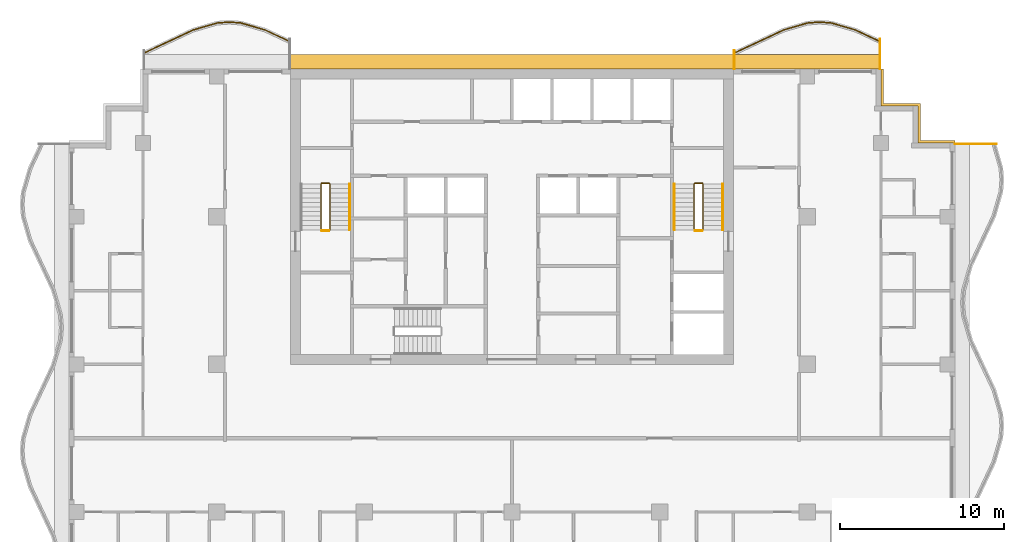
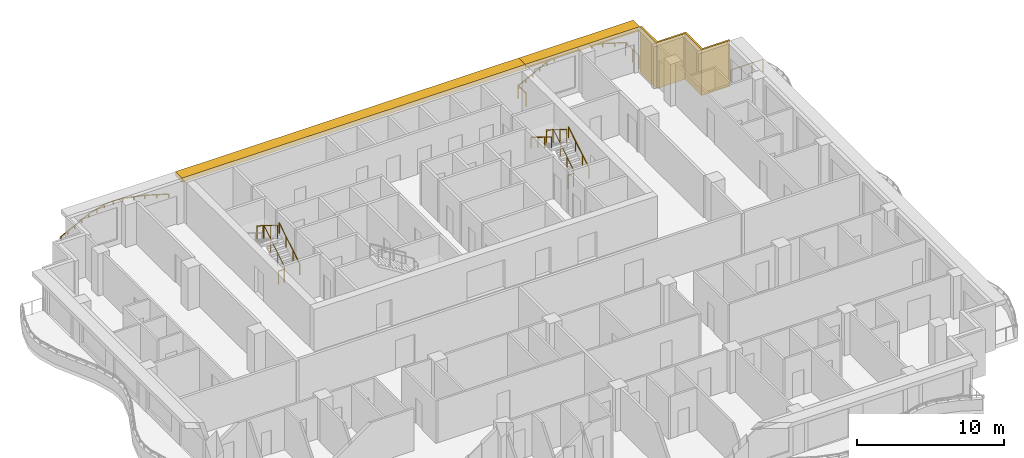
# One storey, part 11 of 11: 12 railings, 3 shading devices.
"""IFC4 building model written with IfcOpenShell, lengths in metres."""

from ifc_helpers import new_model, si_unit, direction, frame, origin, origin_2d, place, context, subcontext, project, spatial, polyline, rectangle, circle, outline, extrude, material, layer, layer_set, type_object, element, save


model = new_model("IFC4")

# Units and contexts
model_context = context("Model", 3, precision=1e-05, world=origin(), true_north=direction((0.0, 1.0)))
body_context = subcontext(model_context, "Body", "Model", "MODEL_VIEW")
ifc_project = project(units=[si_unit("LENGTHUNIT", "METRE"), si_unit("AREAUNIT", "SQUARE_METRE"), si_unit("VOLUMEUNIT", "CUBIC_METRE"), si_unit("PLANEANGLEUNIT", "RADIAN"), si_unit("MASSUNIT", "GRAM", prefix="KILO")], contexts=[model_context])

# Site, building, storey
site_placement = place(None, origin())
site = spatial("IfcSite", under=ifc_project, at=site_placement, CompositionType="ELEMENT")
building_placement = place(site_placement, origin())
building = spatial("IfcBuilding", under=site, at=building_placement, Name="Orbiselva Terraces", CompositionType="ELEMENT")
storey_placement = place(building_placement, frame((0.0, 0.0, 242.6)))
storey = spatial("IfcBuildingStorey", under=building, at=storey_placement, Name="L61", CompositionType="ELEMENT", Elevation=242.6)

# Railings
ifc_material_1 = material(Name="Stainless steel", Category="steel")
railing_type_1 = type_object("IfcRailingType", Name="CORE-GUARD-1100", PredefinedType="GUARDRAIL", material=ifc_material_1)
railing_1_placement = place(storey_placement, frame((-11.1, 12.7, 0.172727)))
element("IfcRailing", 1, at=railing_1_placement, inside=storey, type_object=railing_type_1, Name="L61 S1 stair guard 1", PredefinedType="GUARDRAIL", context=body_context, shape_type="SweptSolid", body=[
    extrude(circle(Radius=0.024, at=origin_2d()), frame((0.0, 0.0, 1.081), z_axis=(0.0, 0.851088519012, 0.52502222125), x_axis=(-1.0, 0.0, 0.0)), (0.0, 0.0, 1.0), 3.289905),
    extrude(circle(Radius=0.024, at=origin_2d()), frame((0.0, 2.8, 2.808273), z_axis=(-0.707106781187, 0.707106781187, 0.0), x_axis=(-0.707106781187, -0.707106781187, 0.0)), (0.0, 0.0, 1.0), 0.070711),
    extrude(circle(Radius=0.024, at=origin_2d()), frame((-0.05, 2.85, 2.808273), z_axis=(-1.0, 0.0, 0.0), x_axis=(0.0, -1.0, 0.0)), (0.0, 0.0, 1.0), 0.45),
    extrude(circle(Radius=0.024, at=origin_2d()), frame((-0.5, 2.85, 2.808273), z_axis=(-0.267894925557, -0.267894925557, 0.925453736133), x_axis=(0.707106781187, -0.707106781187, 0.0)), (0.0, 0.0, 1.0), 0.18664),
    extrude(circle(Radius=0.024, at=origin_2d()), frame((-0.55, 2.8, 2.981), z_axis=(0.0, -0.851088519012, 0.52502222125), x_axis=(1.0, 0.0, 0.0)), (0.0, 0.0, 1.0), 3.289905),
    extrude(circle(Radius=0.021, at=origin_2d()), origin(), (0.0, 0.0, 1.0), 1.057),
    extrude(circle(Radius=0.021, at=origin_2d()), frame((0.0, 0.933333, 0.575758)), (0.0, 0.0, 1.0), 1.057),
    extrude(circle(Radius=0.021, at=origin_2d()), frame((0.0, 1.866667, 1.151515)), (0.0, 0.0, 1.0), 1.057),
    extrude(circle(Radius=0.021, at=origin_2d()), frame((0.0, 2.8, 1.727273)), (0.0, 0.0, 1.0), 1.057),
    extrude(circle(Radius=0.021, at=origin_2d()), frame((-0.05, 2.85, 1.727273)), (0.0, 0.0, 1.0), 1.057),
    extrude(circle(Radius=0.021, at=origin_2d()), frame((-0.5, 2.85, 1.727273)), (0.0, 0.0, 1.0), 1.057),
    extrude(circle(Radius=0.021, at=origin_2d()), frame((-0.55, 2.8, 1.9)), (0.0, 0.0, 1.0), 1.057),
    extrude(circle(Radius=0.021, at=origin_2d()), frame((-0.55, 1.866667, 2.475758)), (0.0, 0.0, 1.0), 1.057),
    extrude(circle(Radius=0.021, at=origin_2d()), frame((-0.55, 0.933333, 3.051515)), (0.0, 0.0, 1.0), 1.057),
    extrude(circle(Radius=0.021, at=origin_2d()), frame((-0.55, 0.0, 3.627273)), (0.0, 0.0, 1.0), 1.057),
])
railing_2_placement = place(storey_placement, frame((-11.15, 12.65, 0.0)))
element("IfcRailing", 2, at=railing_2_placement, inside=storey, type_object=railing_type_1, Name="L61 S1 stair guard 2", PredefinedType="GUARDRAIL", context=body_context, shape_type="SweptSolid", body=[
    extrude(circle(Radius=0.024, at=origin_2d()), frame((0.0, 0.0, 1.081), z_axis=(-1.0, 0.0, 0.0), x_axis=(0.0, -1.0, 0.0)), (0.0, 0.0, 1.0), 0.45),
    extrude(circle(Radius=0.021, at=origin_2d()), origin(), (0.0, 0.0, 1.0), 1.057),
    extrude(circle(Radius=0.021, at=origin_2d()), frame((-0.45, 0.0, 0.0)), (0.0, 0.0, 1.0), 1.057),
])
railing_3_placement = place(storey_placement, frame((11.65, 12.7, 0.172727)))
element("IfcRailing", 3, at=railing_3_placement, inside=storey, type_object=railing_type_1, Name="L61 S2 stair guard 1", PredefinedType="GUARDRAIL", context=body_context, shape_type="SweptSolid", body=[
    extrude(circle(Radius=0.024, at=origin_2d()), frame((0.0, 0.0, 1.081), z_axis=(0.0, 0.851088519012, 0.52502222125), x_axis=(-1.0, 0.0, 0.0)), (0.0, 0.0, 1.0), 3.289905),
    extrude(circle(Radius=0.024, at=origin_2d()), frame((0.0, 2.8, 2.808273), z_axis=(-0.707106781187, 0.707106781187, 0.0), x_axis=(-0.707106781187, -0.707106781187, 0.0)), (0.0, 0.0, 1.0), 0.070711),
    extrude(circle(Radius=0.024, at=origin_2d()), frame((-0.05, 2.85, 2.808273), z_axis=(-1.0, 0.0, 0.0), x_axis=(0.0, -1.0, 0.0)), (0.0, 0.0, 1.0), 0.45),
    extrude(circle(Radius=0.024, at=origin_2d()), frame((-0.5, 2.85, 2.808273), z_axis=(-0.267894925557, -0.267894925557, 0.925453736133), x_axis=(0.707106781187, -0.707106781187, 0.0)), (0.0, 0.0, 1.0), 0.18664),
    extrude(circle(Radius=0.024, at=origin_2d()), frame((-0.55, 2.8, 2.981), z_axis=(0.0, -0.851088519012, 0.52502222125), x_axis=(1.0, 0.0, 0.0)), (0.0, 0.0, 1.0), 3.289905),
    extrude(circle(Radius=0.021, at=origin_2d()), origin(), (0.0, 0.0, 1.0), 1.057),
    extrude(circle(Radius=0.021, at=origin_2d()), frame((0.0, 0.933333, 0.575758)), (0.0, 0.0, 1.0), 1.057),
    extrude(circle(Radius=0.021, at=origin_2d()), frame((0.0, 1.866667, 1.151515)), (0.0, 0.0, 1.0), 1.057),
    extrude(circle(Radius=0.021, at=origin_2d()), frame((0.0, 2.8, 1.727273)), (0.0, 0.0, 1.0), 1.057),
    extrude(circle(Radius=0.021, at=origin_2d()), frame((-0.05, 2.85, 1.727273)), (0.0, 0.0, 1.0), 1.057),
    extrude(circle(Radius=0.021, at=origin_2d()), frame((-0.5, 2.85, 1.727273)), (0.0, 0.0, 1.0), 1.057),
    extrude(circle(Radius=0.021, at=origin_2d()), frame((-0.55, 2.8, 1.9)), (0.0, 0.0, 1.0), 1.057),
    extrude(circle(Radius=0.021, at=origin_2d()), frame((-0.55, 1.866667, 2.475758)), (0.0, 0.0, 1.0), 1.057),
    extrude(circle(Radius=0.021, at=origin_2d()), frame((-0.55, 0.933333, 3.051515)), (0.0, 0.0, 1.0), 1.057),
    extrude(circle(Radius=0.021, at=origin_2d()), frame((-0.55, 0.0, 3.627273)), (0.0, 0.0, 1.0), 1.057),
])
railing_4_placement = place(storey_placement, frame((11.6, 12.65, 0.0)))
element("IfcRailing", 4, at=railing_4_placement, inside=storey, type_object=railing_type_1, Name="L61 S2 stair guard 2", PredefinedType="GUARDRAIL", context=body_context, shape_type="SweptSolid", body=[
    extrude(circle(Radius=0.024, at=origin_2d()), frame((0.0, 0.0, 1.081), z_axis=(-1.0, 0.0, 0.0), x_axis=(0.0, -1.0, 0.0)), (0.0, 0.0, 1.0), 0.45),
    extrude(circle(Radius=0.021, at=origin_2d()), origin(), (0.0, 0.0, 1.0), 1.057),
    extrude(circle(Radius=0.021, at=origin_2d()), frame((-0.45, 0.0, 0.0)), (0.0, 0.0, 1.0), 1.057),
])
railing_type_2 = type_object("IfcRailingType", Name="CORE-HANDRAIL-900", PredefinedType="HANDRAIL", material=ifc_material_1)
for number, where, name in (
    (5, (-9.9, 12.7, 0.172727), "L61 S1 stair handrail 1"),
    (6, (12.85, 12.7, 0.172727), "L61 S2 stair handrail 1"),
):
    element("IfcRailing", number, at=place(storey_placement, frame(where)), inside=storey, type_object=railing_type_2, Name=name, PredefinedType="HANDRAIL", context=body_context, shape_type="SweptSolid", body=[
        extrude(circle(Radius=0.024, at=origin_2d()), frame((0.0, 0.0, 0.876), z_axis=(0.0, 0.851088519012, 0.52502222125), x_axis=(-1.0, 0.0, 0.0)), (0.0, 0.0, 1.0), 3.289905),
        extrude(circle(Radius=0.021, at=origin_2d()), origin(), (0.0, 0.0, 1.0), 0.852),
        extrude(circle(Radius=0.021, at=origin_2d()), frame((0.0, 0.933333, 0.575758)), (0.0, 0.0, 1.0), 0.852),
        extrude(circle(Radius=0.021, at=origin_2d()), frame((0.0, 1.866667, 1.151515)), (0.0, 0.0, 1.0), 0.852),
        extrude(circle(Radius=0.021, at=origin_2d()), frame((0.0, 2.8, 1.727273)), (0.0, 0.0, 1.0), 0.852),
    ])
railing_5_placement = place(storey_placement, frame((9.9, 15.5, 2.072727)))
element("IfcRailing", 7, at=railing_5_placement, inside=storey, type_object=railing_type_2, Name="L61 S2 stair handrail 2", PredefinedType="HANDRAIL", context=body_context, shape_type="SweptSolid", body=[
    extrude(circle(Radius=0.024, at=origin_2d()), frame((0.0, 0.0, 0.876), z_axis=(0.0, -0.851088519012, 0.52502222125), x_axis=(1.0, 0.0, 0.0)), (0.0, 0.0, 1.0), 3.289905),
    extrude(circle(Radius=0.021, at=origin_2d()), origin(), (0.0, 0.0, 1.0), 0.852),
    extrude(circle(Radius=0.021, at=origin_2d()), frame((0.0, -0.933333, 0.575758)), (0.0, 0.0, 1.0), 0.852),
    extrude(circle(Radius=0.021, at=origin_2d()), frame((0.0, -1.866667, 1.151515)), (0.0, 0.0, 1.0), 0.852),
    extrude(circle(Radius=0.021, at=origin_2d()), frame((0.0, -2.8, 1.727273)), (0.0, 0.0, 1.0), 0.852),
])
ifc_material_2 = material(Name="Bonded two-ply safety glass balustrade, stainless steel posts", Category="steel")
railing_type_3 = type_object("IfcRailingType", Name="ENV-BALUSTRADE-1200", PredefinedType="BALUSTRADE", material=ifc_material_2)
railing_6_placement = place(storey_placement, frame((22.446809, 24.186882, 0.9)))
element("IfcRailing", 8, at=railing_6_placement, inside=storey, type_object=railing_type_3, Name="Balcony balustrade L61 NE", PredefinedType="BALUSTRADE", context=body_context, shape_type="SweptSolid", body=[
    extrude(outline(polyline([(0.028868, 0.0), (0.014434, 0.025), (-0.014434, 0.025), (-0.028868, 0.0), (-0.014434, -0.025), (0.014434, -0.025), (0.028868, 0.0)])), frame((0.0, 0.0, 0.275), z_axis=(-0.904944359461, 0.425529912322, 0.0), x_axis=(-0.425529912322, -0.904944359461, 0.0)), (0.0, 0.0, 1.0), 1.647746),
    extrude(outline(polyline([(0.028868, 0.0), (0.014434, 0.025), (-0.014434, 0.025), (-0.028868, 0.0), (-0.014434, -0.025), (0.014434, -0.025), (0.028868, 0.0)])), frame((-1.491118, 0.701165, 0.275), z_axis=(-0.960270317007, 0.279071528957, 0.0), x_axis=(-0.279071528957, -0.960270317007, 0.0)), (0.0, 0.0, 1.0), 1.539408),
    extrude(outline(polyline([(0.028868, 0.0), (0.014434, 0.025), (-0.014434, 0.025), (-0.028868, 0.0), (-0.014434, -0.025), (0.014434, -0.025), (0.028868, 0.0)])), frame((-2.969366, 1.13077, 0.275), z_axis=(-0.996947916106, 0.078069536776, 0.0), x_axis=(-0.078069536776, -0.996947916106, 0.0)), (0.0, 0.0, 1.0), 0.72967),
    extrude(outline(polyline([(0.028868, 0.0), (0.014434, 0.025), (-0.014434, 0.025), (-0.028868, 0.0), (-0.014434, -0.025), (0.014434, -0.025), (0.028868, 0.0)])), frame((-3.696809, 1.187735, 0.275), z_axis=(-0.996947916106, -0.078069536776, 0.0), x_axis=(0.078069536776, -0.996947916106, 0.0)), (0.0, 0.0, 1.0), 0.72967),
    extrude(outline(polyline([(0.028868, 0.0), (0.014434, 0.025), (-0.014434, 0.025), (-0.028868, 0.0), (-0.014434, -0.025), (0.014434, -0.025), (0.028868, 0.0)])), frame((-4.424252, 1.13077, 0.275), z_axis=(-0.960270317007, -0.279071528957, 0.0), x_axis=(0.279071528957, -0.960270317007, 0.0)), (0.0, 0.0, 1.0), 1.539408),
    extrude(outline(polyline([(0.028868, 0.0), (0.014434, 0.025), (-0.014434, 0.025), (-0.028868, 0.0), (-0.014434, -0.025), (0.014434, -0.025), (0.028868, 0.0)])), frame((-5.9025, 0.701165, 0.275), z_axis=(-0.904944359461, -0.425529912322, 0.0), x_axis=(0.425529912322, -0.904944359461, 0.0)), (0.0, 0.0, 1.0), 1.647746),
    extrude(outline(polyline([(0.028868, 0.0), (0.014434, 0.025), (-0.014434, 0.025), (-0.028868, 0.0), (-0.014434, -0.025), (0.014434, -0.025), (0.028868, 0.0)])), frame((-7.393618, 0.0, 0.275), z_axis=(-0.904944257823, -0.425530128467, 0.0), x_axis=(0.425530128467, -0.904944257823, 0.0)), (0.0, 0.0, 1.0), 1.657561),
    extrude(rectangle(XDim=0.05, YDim=0.05, at=origin_2d()), origin(), (0.0, 0.0, 1.0), 0.25),
    extrude(rectangle(XDim=0.05, YDim=0.05, at=origin_2d()), frame((-0.745559, 0.350582, 0.0)), (0.0, 0.0, 1.0), 0.25),
    extrude(rectangle(XDim=0.05, YDim=0.05, at=origin_2d()), frame((-1.491118, 0.701165, 0.0)), (0.0, 0.0, 1.0), 0.25),
    extrude(rectangle(XDim=0.05, YDim=0.05, at=origin_2d()), frame((-2.230242, 0.915967, 0.0)), (0.0, 0.0, 1.0), 0.25),
    extrude(rectangle(XDim=0.05, YDim=0.05, at=origin_2d()), frame((-2.969366, 1.13077, 0.0)), (0.0, 0.0, 1.0), 0.25),
    extrude(rectangle(XDim=0.05, YDim=0.05, at=origin_2d()), frame((-3.696809, 1.187735, 0.0)), (0.0, 0.0, 1.0), 0.25),
    extrude(rectangle(XDim=0.05, YDim=0.05, at=origin_2d()), frame((-4.424252, 1.13077, 0.0)), (0.0, 0.0, 1.0), 0.25),
    extrude(rectangle(XDim=0.05, YDim=0.05, at=origin_2d()), frame((-5.163376, 0.915967, 0.0)), (0.0, 0.0, 1.0), 0.25),
    extrude(rectangle(XDim=0.05, YDim=0.05, at=origin_2d()), frame((-5.9025, 0.701165, 0.0)), (0.0, 0.0, 1.0), 0.25),
    extrude(rectangle(XDim=0.05, YDim=0.05, at=origin_2d()), frame((-6.648059, 0.350582, 0.0)), (0.0, 0.0, 1.0), 0.25),
    extrude(rectangle(XDim=0.05, YDim=0.05, at=origin_2d()), frame((-7.393618, 0.0, 0.0)), (0.0, 0.0, 1.0), 0.25),
    extrude(rectangle(XDim=0.05, YDim=0.05, at=origin_2d()), frame((-8.143618, -0.352671, 0.0)), (0.0, 0.0, 1.0), 0.25),
    extrude(rectangle(XDim=0.05, YDim=0.05, at=origin_2d()), frame((-8.893618, -0.705342, 0.0)), (0.0, 0.0, 1.0), 0.25),
])
railing_7_placement = place(storey_placement, frame((-13.553191, 24.186882, 0.9)))
element("IfcRailing", 9, at=railing_7_placement, inside=storey, type_object=railing_type_3, Name="Balcony balustrade L61 NW", PredefinedType="BALUSTRADE", context=body_context, shape_type="SweptSolid", body=[
    extrude(outline(polyline([(0.028868, 0.0), (0.014434, 0.025), (-0.014434, 0.025), (-0.028868, 0.0), (-0.014434, -0.025), (0.014434, -0.025), (0.028868, 0.0)])), frame((0.0, 0.0, 0.275), z_axis=(-0.904944359461, 0.425529912322, 0.0), x_axis=(-0.425529912322, -0.904944359461, 0.0)), (0.0, 0.0, 1.0), 1.647746),
    extrude(outline(polyline([(0.028868, 0.0), (0.014434, 0.025), (-0.014434, 0.025), (-0.028868, 0.0), (-0.014434, -0.025), (0.014434, -0.025), (0.028868, 0.0)])), frame((-1.491118, 0.701165, 0.275), z_axis=(-0.960270317007, 0.279071528957, 0.0), x_axis=(-0.279071528957, -0.960270317007, 0.0)), (0.0, 0.0, 1.0), 1.539408),
    extrude(outline(polyline([(0.028868, 0.0), (0.014434, 0.025), (-0.014434, 0.025), (-0.028868, 0.0), (-0.014434, -0.025), (0.014434, -0.025), (0.028868, 0.0)])), frame((-2.969366, 1.13077, 0.275), z_axis=(-0.996947916106, 0.078069536776, 0.0), x_axis=(-0.078069536776, -0.996947916106, 0.0)), (0.0, 0.0, 1.0), 0.72967),
    extrude(outline(polyline([(0.028868, 0.0), (0.014434, 0.025), (-0.014434, 0.025), (-0.028868, 0.0), (-0.014434, -0.025), (0.014434, -0.025), (0.028868, 0.0)])), frame((-3.696809, 1.187735, 0.275), z_axis=(-0.996947916106, -0.078069536776, 0.0), x_axis=(0.078069536776, -0.996947916106, 0.0)), (0.0, 0.0, 1.0), 0.72967),
    extrude(outline(polyline([(0.028868, 0.0), (0.014434, 0.025), (-0.014434, 0.025), (-0.028868, 0.0), (-0.014434, -0.025), (0.014434, -0.025), (0.028868, 0.0)])), frame((-4.424252, 1.13077, 0.275), z_axis=(-0.960270317007, -0.279071528957, 0.0), x_axis=(0.279071528957, -0.960270317007, 0.0)), (0.0, 0.0, 1.0), 1.539408),
    extrude(outline(polyline([(0.028868, 0.0), (0.014434, 0.025), (-0.014434, 0.025), (-0.028868, 0.0), (-0.014434, -0.025), (0.014434, -0.025), (0.028868, 0.0)])), frame((-5.9025, 0.701165, 0.275), z_axis=(-0.904944359461, -0.425529912322, 0.0), x_axis=(0.425529912322, -0.904944359461, 0.0)), (0.0, 0.0, 1.0), 1.647746),
    extrude(outline(polyline([(0.028868, 0.0), (0.014434, 0.025), (-0.014434, 0.025), (-0.028868, 0.0), (-0.014434, -0.025), (0.014434, -0.025), (0.028868, 0.0)])), frame((-7.393618, 0.0, 0.275), z_axis=(-0.904944257823, -0.425530128467, 0.0), x_axis=(0.425530128467, -0.904944257823, 0.0)), (0.0, 0.0, 1.0), 1.657561),
    extrude(rectangle(XDim=0.05, YDim=0.05, at=origin_2d()), origin(), (0.0, 0.0, 1.0), 0.25),
    extrude(rectangle(XDim=0.05, YDim=0.05, at=origin_2d()), frame((-0.745559, 0.350582, 0.0)), (0.0, 0.0, 1.0), 0.25),
    extrude(rectangle(XDim=0.05, YDim=0.05, at=origin_2d()), frame((-1.491118, 0.701165, 0.0)), (0.0, 0.0, 1.0), 0.25),
    extrude(rectangle(XDim=0.05, YDim=0.05, at=origin_2d()), frame((-2.230242, 0.915967, 0.0)), (0.0, 0.0, 1.0), 0.25),
    extrude(rectangle(XDim=0.05, YDim=0.05, at=origin_2d()), frame((-2.969366, 1.13077, 0.0)), (0.0, 0.0, 1.0), 0.25),
    extrude(rectangle(XDim=0.05, YDim=0.05, at=origin_2d()), frame((-3.696809, 1.187735, 0.0)), (0.0, 0.0, 1.0), 0.25),
    extrude(rectangle(XDim=0.05, YDim=0.05, at=origin_2d()), frame((-4.424252, 1.13077, 0.0)), (0.0, 0.0, 1.0), 0.25),
    extrude(rectangle(XDim=0.05, YDim=0.05, at=origin_2d()), frame((-5.163376, 0.915967, 0.0)), (0.0, 0.0, 1.0), 0.25),
    extrude(rectangle(XDim=0.05, YDim=0.05, at=origin_2d()), frame((-5.9025, 0.701165, 0.0)), (0.0, 0.0, 1.0), 0.25),
    extrude(rectangle(XDim=0.05, YDim=0.05, at=origin_2d()), frame((-6.648059, 0.350582, 0.0)), (0.0, 0.0, 1.0), 0.25),
    extrude(rectangle(XDim=0.05, YDim=0.05, at=origin_2d()), frame((-7.393618, 0.0, 0.0)), (0.0, 0.0, 1.0), 0.25),
    extrude(rectangle(XDim=0.05, YDim=0.05, at=origin_2d()), frame((-8.143618, -0.352671, 0.0)), (0.0, 0.0, 1.0), 0.25),
    extrude(rectangle(XDim=0.05, YDim=0.05, at=origin_2d()), frame((-8.893618, -0.705342, 0.0)), (0.0, 0.0, 1.0), 0.25),
])
ifc_material_3 = material(Name="Stainless steel rail and posts", Category="steel")
railing_type_4 = type_object("IfcRailingType", Name="ENV-GUARD-1105", PredefinedType="BALUSTRADE", material=ifc_material_3)
railing_8_placement = place(storey_placement, frame((29.529516, 17.94, 0.0)))
element("IfcRailing", 10, at=railing_8_placement, inside=storey, type_object=railing_type_4, Name="Balcony end guard L61 E", PredefinedType="BALUSTRADE", context=body_context, shape_type="SweptSolid", body=[
    extrude(outline(polyline([(0.028868, 0.0), (0.014434, 0.025), (-0.014434, 0.025), (-0.028868, 0.0), (-0.014434, -0.025), (0.014434, -0.025), (0.028868, 0.0)])), frame((0.0, 0.0, 1.08), z_axis=(-1.0, 0.0, 0.0), x_axis=(0.0, -1.0, 0.0)), (0.0, 0.0, 1.0), 2.504516),
    extrude(rectangle(XDim=0.05, YDim=0.05, at=origin_2d()), origin(), (0.0, 0.0, 1.0), 1.055),
    extrude(rectangle(XDim=0.05, YDim=0.05, at=origin_2d()), frame((-0.834839, 0.0, 0.0)), (0.0, 0.0, 1.0), 1.055),
    extrude(rectangle(XDim=0.05, YDim=0.05, at=origin_2d()), frame((-1.669677, 0.0, 0.0)), (0.0, 0.0, 1.0), 1.055),
    extrude(rectangle(XDim=0.05, YDim=0.05, at=origin_2d()), frame((-2.504516, 0.0, 0.0)), (0.0, 0.0, 1.0), 1.055),
])
railing_9_placement = place(storey_placement, frame((22.44, 24.330156, 0.0)))
element("IfcRailing", 11, at=railing_9_placement, inside=storey, type_object=railing_type_4, Name="Balcony end guard L61 NE", PredefinedType="BALUSTRADE", context=body_context, shape_type="SweptSolid", body=[
    extrude(outline(polyline([(0.028868, 0.0), (0.014434, 0.025), (-0.014434, 0.025), (-0.028868, 0.0), (-0.014434, -0.025), (0.014434, -0.025), (0.028868, 0.0)])), frame((0.0, 0.0, 1.08), z_axis=(0.0, -1.0, 0.0), x_axis=(1.0, 0.0, 0.0)), (0.0, 0.0, 1.0), 1.805156),
    extrude(rectangle(XDim=0.05, YDim=0.05, at=origin_2d()), origin(), (0.0, 0.0, 1.0), 1.055),
    extrude(rectangle(XDim=0.05, YDim=0.05, at=origin_2d()), frame((0.0, -0.902578, 0.0)), (0.0, 0.0, 1.0), 1.055),
    extrude(rectangle(XDim=0.05, YDim=0.05, at=origin_2d()), frame((0.0, -1.805156, 0.0)), (0.0, 0.0, 1.0), 1.055),
])
railing_10_placement = place(storey_placement, frame((13.56, 23.619277, 0.0)))
element("IfcRailing", 12, at=railing_10_placement, inside=storey, type_object=railing_type_4, Name="Balcony end guard L61 NE", PredefinedType="BALUSTRADE", context=body_context, shape_type="SweptSolid", body=[
    extrude(outline(polyline([(0.028868, 0.0), (0.014434, 0.025), (-0.014434, 0.025), (-0.028868, 0.0), (-0.014434, -0.025), (0.014434, -0.025), (0.028868, 0.0)])), frame((0.0, 0.0, 1.08), z_axis=(0.0, -1.0, 0.0), x_axis=(1.0, 0.0, 0.0)), (0.0, 0.0, 1.0), 1.094277),
    extrude(rectangle(XDim=0.05, YDim=0.05, at=origin_2d()), origin(), (0.0, 0.0, 1.0), 1.055),
    extrude(rectangle(XDim=0.05, YDim=0.05, at=origin_2d()), frame((0.0, -1.094277, 0.0)), (0.0, 0.0, 1.0), 1.055),
])

# Shading devices
ifc_material_4 = material(Name="Terracotta louvre screen", Category="masonry")
ifc_layer_1 = layer(ifc_material_4, 0.15)
ifc_layer_set_1 = layer_set([ifc_layer_1], Name="Terracotta louvre screen")
shading_device_type_1 = type_object("IfcShadingDeviceType", Name="ENV-SCREEN-150", PredefinedType="USERDEFINED", material=ifc_layer_set_1)
shading_device_1_placement = place(storey_placement, frame((0.0, 0.0, -0.3)))
element("IfcShadingDevice", 13, at=shading_device_1_placement, inside=storey, type_object=shading_device_type_1, Name="Louvre screen L61 NE", ObjectType="SCREEN", PredefinedType="USERDEFINED", context=body_context, shape_type="SweptSolid", body=[
    extrude(outline(polyline([(27.0, 18.15), (24.9, 18.15), (24.9, 20.4), (22.65, 20.4), (22.65, 22.5), (22.5, 22.5), (22.5, 20.25), (24.75, 20.25), (24.75, 18.0), (27.0, 18.0), (27.0, 18.15)])), origin(), (0.0, 0.0, 1.0), 3.8),
])
ifc_material_5 = material(Name="Terracotta baguette sunshade", Category="masonry")
ifc_layer_2 = layer(ifc_material_5, 0.35)
ifc_layer_set_2 = layer_set([ifc_layer_2], Name="Terracotta baguette sunshade")
shading_device_type_2 = type_object("IfcShadingDeviceType", Name="ENV-SUNSHADE-900x350", PredefinedType="USERDEFINED", material=ifc_layer_set_2)
shading_device_2_placement = place(storey_placement, frame((0.0, 0.0, 3.15)))
element("IfcShadingDevice", 14, at=shading_device_2_placement, inside=storey, type_object=shading_device_type_2, Name="Sunshade band L61 NE", ObjectType="SUNSHADE", PredefinedType="USERDEFINED", context=body_context, shape_type="SweptSolid", body=[
    extrude(outline(polyline([(22.5, 23.4), (13.5, 23.4), (13.5, 22.5), (22.5, 22.5), (22.5, 23.4)])), origin(), (0.0, 0.0, 1.0), 0.35),
])
shading_device_3_placement = place(storey_placement, frame((0.0, 0.0, 3.15)))
element("IfcShadingDevice", 15, at=shading_device_3_placement, inside=storey, type_object=shading_device_type_2, Name="Sunshade band L61 CORE NORTH", ObjectType="SUNSHADE", PredefinedType="USERDEFINED", context=body_context, shape_type="SweptSolid", body=[
    extrude(outline(polyline([(13.5, 23.4), (-13.5, 23.4), (-13.5, 22.5), (13.5, 22.5), (13.5, 23.4)])), origin(), (0.0, 0.0, 1.0), 0.35),
])

save(model, "model.ifc")
